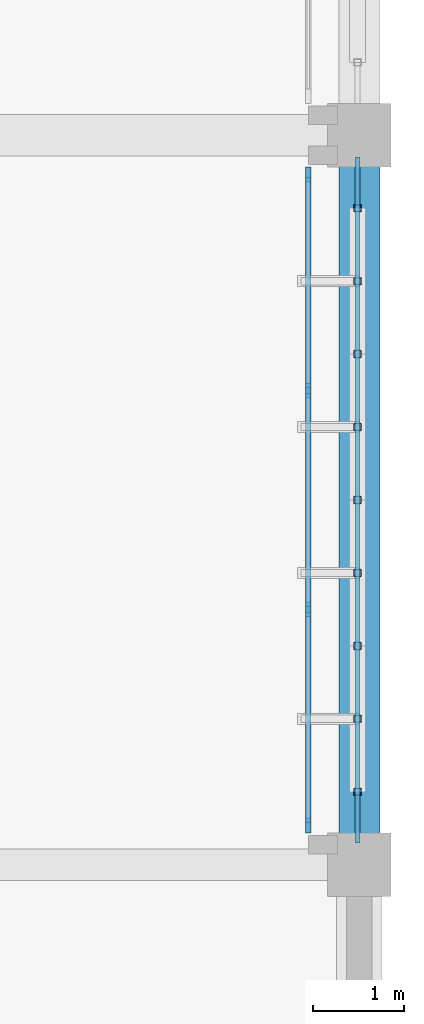
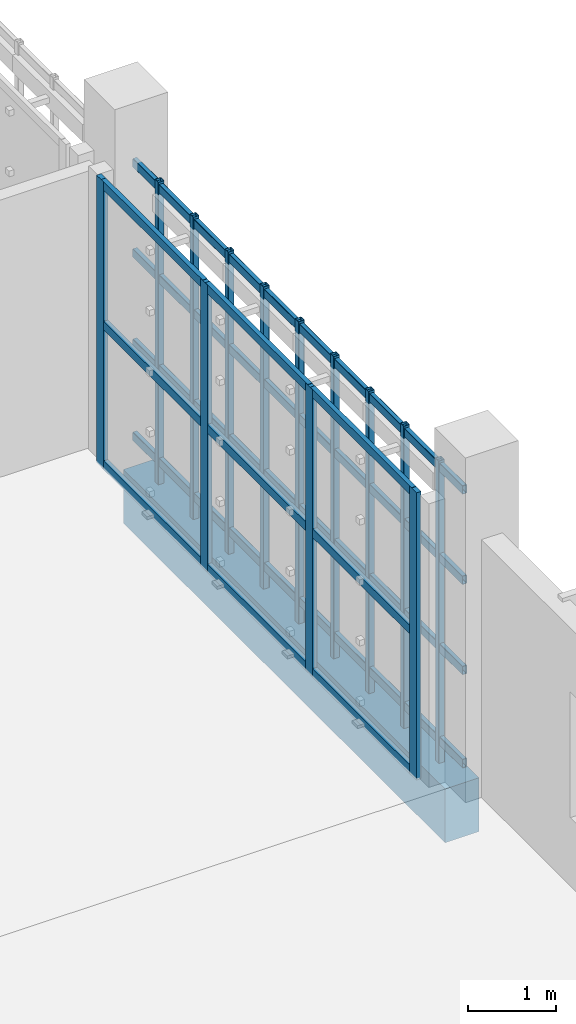
# One storey, part 57 of 106: 26 members, 1 beam, 1 element without a shape of its own.
"""IFC4 building model written with IfcOpenShell, lengths in metres."""

from ifc_helpers import new_model, si_unit, direction, frame, origin, origin_2d, place, context, subcontext, project, spatial, rectangle, hollow_rectangle, extrude, material, layer, layer_set, material_profile, profile_set, type_object, element, aggregate, save


model = new_model("IFC4")

# Units and contexts
model_context = context("Model", 3, precision=1e-05, world=origin(), true_north=direction((0.0, 1.0)))
body_context = subcontext(model_context, "Body", "Model", "MODEL_VIEW")
ifc_project = project(units=[si_unit("LENGTHUNIT", "METRE"), si_unit("AREAUNIT", "SQUARE_METRE"), si_unit("VOLUMEUNIT", "CUBIC_METRE"), si_unit("PLANEANGLEUNIT", "RADIAN"), si_unit("MASSUNIT", "GRAM", prefix="KILO")], contexts=[model_context])

# Site, building, storey
site_placement = place(None, origin())
site = spatial("IfcSite", under=ifc_project, at=site_placement, CompositionType="ELEMENT")
building_placement = place(site_placement, origin())
building = spatial("IfcBuilding", under=site, at=building_placement, Name="Jelvoka-Kovrelna Polytechnic", CompositionType="ELEMENT")
storey_placement = place(building_placement, frame((0.0, 0.0, 4.800048828125)))
storey = spatial("IfcBuildingStorey", under=building, at=storey_placement, Name="L02", CompositionType="ELEMENT", Elevation=4.800048828125)

# Beam
ifc_material_1 = material(Name="Concrete C40/50", Category="concrete")
ifc_material_profile_1 = material_profile(ifc_material_1, rectangle(XDim=0.449951171875, YDim=0.75, at=origin_2d()), Name="RC 450x750")
ifc_profile_set_1 = profile_set([ifc_material_profile_1], Name="Concrete C40/50")
beam_type = type_object("IfcBeamType", Name="Beam_RC_450x750", PredefinedType="BEAM", material=ifc_profile_set_1)
beam_placement = place(storey_placement, frame((200.0, 32.330078125, -0.64013671875), z_axis=(0.0, 1.0, 0.0), x_axis=(-1.0, 0.0, 0.0)))
element("IfcBeam", 1, at=beam_placement, inside=storey, type_object=beam_type, Name="L02 beam 0753", PredefinedType="BEAM", context=body_context, shape_type="SweptSolid", body=[
    extrude(rectangle(XDim=0.449951171875, YDim=0.75, at=origin_2d()), origin(), (0.0, 0.0, 1.0), 7.33984375),
])

# Members
ifc_material_2 = material(Name="Structural steel S355J2H", Category="steel")
ifc_material_profile_2 = material_profile(ifc_material_2, hollow_rectangle(XDim=0.06005859375, YDim=0.1201171875, WallThickness=0.0048828125, InnerFilletRadius=0.0048828125, OuterFilletRadius=0.007568359375, at=origin_2d()), Name="120x60x5.0 RHS")
ifc_profile_set_2 = profile_set([ifc_material_profile_2], Name="Structural steel S355J2H")
member_type_1 = type_object("IfcMemberType", Name="Member_Strut_RHS120", PredefinedType="STRUT", material=ifc_profile_set_2)
for number, where, z_axis, x_axis, name in (
    (2, (199.97998046875, 32.239990234375, 0.079833984375), (0.0, 1.0, 0.0), (-1.0, 0.0, 0.0), "L02 terracotta screen horizontal strut 0352"),
    (3, (199.97998046875, 32.239990234375, 1.375244140625), (0.0, 1.0, 0.0), (-1.0, 0.0, 0.0), "L02 terracotta screen horizontal strut 0353"),
    (4, (199.97998046875, 32.239990234375, 2.632568359375), (0.0, 1.0, 0.0), (-1.0, 0.0, 0.0), "L02 terracotta screen horizontal strut 0354"),
    (5, (199.97998046875, 32.239990234375, 3.889892578125), (0.0, 1.0, 0.0), (-1.0, 0.0, 0.0), "L02 terracotta screen horizontal strut 0355"),
):
    element("IfcMember", number, at=place(storey_placement, frame(where, z_axis=z_axis, x_axis=x_axis)), inside=storey, type_object=member_type_1, Name=name, PredefinedType="STRUT", context=body_context, shape_type="SweptSolid", body=[
        extrude(hollow_rectangle(XDim=0.06005859375, YDim=0.1201171875, WallThickness=0.0048828125, InnerFilletRadius=0.0048828125, OuterFilletRadius=0.007568359375, at=origin_2d()), origin(), (0.0, 0.0, 1.0), 7.52001953125),
    ])
ifc_material_3 = material(Name="Structural steel S355J2H", Category="steel")
ifc_material_profile_3 = material_profile(ifc_material_3, hollow_rectangle(XDim=0.080078125, YDim=0.080078125, WallThickness=0.0048828125, InnerFilletRadius=0.0048828125, OuterFilletRadius=0.007568359375, at=origin_2d()), Name="80x80x5.0 SHS")
ifc_profile_set_3 = profile_set([ifc_material_profile_3], Name="Structural steel S355J2H")
member_type_2 = type_object("IfcMemberType", Name="Member_Strut_SHS80", PredefinedType="STRUT", material=ifc_profile_set_3)
for number, where, z_axis, x_axis, name in (
    (6, (199.97998046875, 32.800048828125, -0.22998046875), (0.0, 0.0, 1.0), (1.0, 0.0, 0.0), "L02 terracotta lattice vertical rib 0356"),
    (7, (199.97998046875, 33.60009765625, -0.22998046875), (0.0, 0.0, 1.0), (1.0, 0.0, 0.0), "L02 terracotta lattice vertical rib 0357"),
    (8, (199.97998046875, 34.39990234375, -0.22998046875), (0.0, 0.0, 1.0), (1.0, 0.0, 0.0), "L02 terracotta lattice vertical rib 0358"),
    (9, (199.97998046875, 35.199951171875, -0.22998046875), (0.0, 0.0, 1.0), (1.0, 0.0, 0.0), "L02 terracotta lattice vertical rib 0359"),
    (10, (199.97998046875, 36.0, -0.22998046875), (0.0, 0.0, 1.0), (1.0, 0.0, 0.0), "L02 terracotta lattice vertical rib 0360"),
    (11, (199.97998046875, 36.800048828125, -0.22998046875), (0.0, 0.0, 1.0), (1.0, 0.0, 0.0), "L02 terracotta lattice vertical rib 0361"),
    (12, (199.97998046875, 37.60009765625, -0.22998046875), (0.0, 0.0, 1.0), (1.0, 0.0, 0.0), "L02 terracotta lattice vertical rib 0362"),
    (13, (199.97998046875, 38.39990234375, -0.22998046875), (0.0, 0.0, 1.0), (1.0, 0.0, 0.0), "L02 terracotta lattice vertical rib 0363"),
    (14, (199.97998046875, 39.199951171875, -0.22998046875), (0.0, 0.0, 1.0), (1.0, 0.0, 0.0), "L02 terracotta lattice vertical rib 0364"),
):
    element("IfcMember", number, at=place(storey_placement, frame(where, z_axis=z_axis, x_axis=x_axis)), inside=storey, type_object=member_type_2, Name=name, PredefinedType="STRUT", context=body_context, shape_type="SweptSolid", body=[
        extrude(hollow_rectangle(XDim=0.080078125, YDim=0.080078125, WallThickness=0.0048828125, InnerFilletRadius=0.0048828125, OuterFilletRadius=0.007568359375, at=origin_2d()), origin(), (0.0, 0.0, 1.0), 4.2099609375),
    ])

# Curtain wall, members
ifc_material_4 = material(Name="Anodised aluminium 6063-T6", Category="aluminium")
ifc_layer = layer(ifc_material_4, 0.159912109375)
ifc_layer_set = layer_set([ifc_layer], Name="Anodised aluminium 6063-T6")
curtain_wall_type = type_object("IfcCurtainWallType", Name="CW_Recessed_A", PredefinedType="NOTDEFINED", material=ifc_layer_set)
curtain_wall_placement = place(storey_placement, origin())
curtain_wall = element("IfcCurtainWall", 15, at=curtain_wall_placement, inside=storey, type_object=curtain_wall_type, Name="L02 glazed curtain wall 052", PredefinedType="NOTDEFINED")
ifc_material_5 = material(Name="Anodised aluminium 6063-T6", Category="aluminium")
ifc_material_profile_4 = material_profile(ifc_material_5, rectangle(XDim=0.06005859375, YDim=0.159912109375, at=origin_2d()), Name="ALU 60x160")
ifc_profile_set_4 = profile_set([ifc_material_profile_4], Name="Anodised aluminium 6063-T6")
member_type_3 = type_object("IfcMemberType", Name="Mullion_M-01", PredefinedType="MULLION", material=ifc_profile_set_4)
member_1_placement = place(storey_placement, frame((199.43994140625, 39.570068359375, -0.02490234375), z_axis=(0.0, 0.0, 1.0), x_axis=(1.0, 0.0, 0.0)))
member_1 = element("IfcMember", 16, at=member_1_placement, type_object=member_type_3, Name="CW-01 mullion 1", PredefinedType="MULLION", context=body_context, shape_type="SweptSolid", body=[
    extrude(rectangle(XDim=0.06005859375, YDim=0.159912109375, at=origin_2d()), origin(), (0.0, 0.0, 1.0), 4.0),
])
member_2_placement = place(storey_placement, frame((199.43994140625, 37.199951171875, -0.02490234375), z_axis=(0.0, 0.0, 1.0), x_axis=(1.0, 0.0, 0.0)))
member_2 = element("IfcMember", 17, at=member_2_placement, type_object=member_type_3, Name="CW-01 mullion 2", PredefinedType="MULLION", context=body_context, shape_type="SweptSolid", body=[
    extrude(rectangle(XDim=0.06005859375, YDim=0.159912109375, at=origin_2d()), origin(), (0.0, 0.0, 1.0), 4.0),
])
member_3_placement = place(storey_placement, frame((199.43994140625, 34.800048828125, -0.02490234375), z_axis=(0.0, 0.0, 1.0), x_axis=(1.0, 0.0, 0.0)))
member_3 = element("IfcMember", 18, at=member_3_placement, type_object=member_type_3, Name="CW-01 mullion 3", PredefinedType="MULLION", context=body_context, shape_type="SweptSolid", body=[
    extrude(rectangle(XDim=0.06005859375, YDim=0.159912109375, at=origin_2d()), origin(), (0.0, 0.0, 1.0), 4.0),
])
member_4_placement = place(storey_placement, frame((199.43994140625, 32.429931640625, -0.02490234375), z_axis=(0.0, 0.0, 1.0), x_axis=(1.0, 0.0, 0.0)))
member_4 = element("IfcMember", 19, at=member_4_placement, type_object=member_type_3, Name="CW-01 mullion 4", PredefinedType="MULLION", context=body_context, shape_type="SweptSolid", body=[
    extrude(rectangle(XDim=0.06005859375, YDim=0.159912109375, at=origin_2d()), origin(), (0.0, 0.0, 1.0), 4.0),
])
ifc_material_6 = material(Name="Anodised aluminium 6063-T6", Category="aluminium")
ifc_material_profile_5 = material_profile(ifc_material_6, rectangle(XDim=0.06005859375, YDim=0.1201171875, at=origin_2d()), Name="ALU 60x120")
ifc_profile_set_5 = profile_set([ifc_material_profile_5], Name="Anodised aluminium 6063-T6")
member_type_4 = type_object("IfcMemberType", Name="Transom_T-01", PredefinedType="USERDEFINED", material=ifc_profile_set_5)
member_5_placement = place(storey_placement, frame((199.43994140625, 39.5400390625, 0.030029296875), z_axis=(0.0, -1.0, 0.0), x_axis=(1.0, 0.0, 0.0)))
member_5 = element("IfcMember", 20, at=member_5_placement, type_object=member_type_4, Name="CW-01 transom 1.1", ObjectType="TRANSOM", PredefinedType="USERDEFINED", context=body_context, shape_type="SweptSolid", body=[
    extrude(rectangle(XDim=0.06005859375, YDim=0.1201171875, at=origin_2d()), origin(), (0.0, 0.0, 1.0), 2.31005859375),
])
member_6_placement = place(storey_placement, frame((199.43994140625, 39.5400390625, 1.974853515625), z_axis=(0.0, -1.0, 0.0), x_axis=(1.0, 0.0, 0.0)))
member_6 = element("IfcMember", 21, at=member_6_placement, type_object=member_type_4, Name="CW-01 transom 1.2", ObjectType="TRANSOM", PredefinedType="USERDEFINED", context=body_context, shape_type="SweptSolid", body=[
    extrude(rectangle(XDim=0.06005859375, YDim=0.1201171875, at=origin_2d()), origin(), (0.0, 0.0, 1.0), 2.31005859375),
])
member_7_placement = place(storey_placement, frame((199.43994140625, 39.5400390625, 3.919921875), z_axis=(0.0, -1.0, 0.0), x_axis=(1.0, 0.0, 0.0)))
member_7 = element("IfcMember", 22, at=member_7_placement, type_object=member_type_4, Name="CW-01 transom 1.3", ObjectType="TRANSOM", PredefinedType="USERDEFINED", context=body_context, shape_type="SweptSolid", body=[
    extrude(rectangle(XDim=0.06005859375, YDim=0.1201171875, at=origin_2d()), origin(), (0.0, 0.0, 1.0), 2.31005859375),
])
member_8_placement = place(storey_placement, frame((199.43994140625, 37.169921875, 0.030029296875), z_axis=(0.0, -1.0, 0.0), x_axis=(1.0, 0.0, 0.0)))
member_8 = element("IfcMember", 23, at=member_8_placement, type_object=member_type_4, Name="CW-01 transom 2.1", ObjectType="TRANSOM", PredefinedType="USERDEFINED", context=body_context, shape_type="SweptSolid", body=[
    extrude(rectangle(XDim=0.06005859375, YDim=0.1201171875, at=origin_2d()), origin(), (0.0, 0.0, 1.0), 2.33984375),
])
member_9_placement = place(storey_placement, frame((199.43994140625, 37.169921875, 1.974853515625), z_axis=(0.0, -1.0, 0.0), x_axis=(1.0, 0.0, 0.0)))
member_9 = element("IfcMember", 24, at=member_9_placement, type_object=member_type_4, Name="CW-01 transom 2.2", ObjectType="TRANSOM", PredefinedType="USERDEFINED", context=body_context, shape_type="SweptSolid", body=[
    extrude(rectangle(XDim=0.06005859375, YDim=0.1201171875, at=origin_2d()), origin(), (0.0, 0.0, 1.0), 2.33984375),
])
member_10_placement = place(storey_placement, frame((199.43994140625, 37.169921875, 3.919921875), z_axis=(0.0, -1.0, 0.0), x_axis=(1.0, 0.0, 0.0)))
member_10 = element("IfcMember", 25, at=member_10_placement, type_object=member_type_4, Name="CW-01 transom 2.3", ObjectType="TRANSOM", PredefinedType="USERDEFINED", context=body_context, shape_type="SweptSolid", body=[
    extrude(rectangle(XDim=0.06005859375, YDim=0.1201171875, at=origin_2d()), origin(), (0.0, 0.0, 1.0), 2.33984375),
])
member_11_placement = place(storey_placement, frame((199.43994140625, 34.77001953125, 0.030029296875), z_axis=(0.0, -1.0, 0.0), x_axis=(1.0, 0.0, 0.0)))
member_11 = element("IfcMember", 26, at=member_11_placement, type_object=member_type_4, Name="CW-01 transom 3.1", ObjectType="TRANSOM", PredefinedType="USERDEFINED", context=body_context, shape_type="SweptSolid", body=[
    extrude(rectangle(XDim=0.06005859375, YDim=0.1201171875, at=origin_2d()), origin(), (0.0, 0.0, 1.0), 2.31005859375),
])
member_12_placement = place(storey_placement, frame((199.43994140625, 34.77001953125, 1.974853515625), z_axis=(0.0, -1.0, 0.0), x_axis=(1.0, 0.0, 0.0)))
member_12 = element("IfcMember", 27, at=member_12_placement, type_object=member_type_4, Name="CW-01 transom 3.2", ObjectType="TRANSOM", PredefinedType="USERDEFINED", context=body_context, shape_type="SweptSolid", body=[
    extrude(rectangle(XDim=0.06005859375, YDim=0.1201171875, at=origin_2d()), origin(), (0.0, 0.0, 1.0), 2.31005859375),
])
member_13_placement = place(storey_placement, frame((199.43994140625, 34.77001953125, 3.919921875), z_axis=(0.0, -1.0, 0.0), x_axis=(1.0, 0.0, 0.0)))
member_13 = element("IfcMember", 28, at=member_13_placement, type_object=member_type_4, Name="CW-01 transom 3.3", ObjectType="TRANSOM", PredefinedType="USERDEFINED", context=body_context, shape_type="SweptSolid", body=[
    extrude(rectangle(XDim=0.06005859375, YDim=0.1201171875, at=origin_2d()), origin(), (0.0, 0.0, 1.0), 2.31005859375),
])
aggregate(curtain_wall, [member_1, member_2, member_3, member_4, member_5, member_6, member_7, member_8, member_9, member_10, member_11, member_12, member_13])

save(model, "model.ifc")
